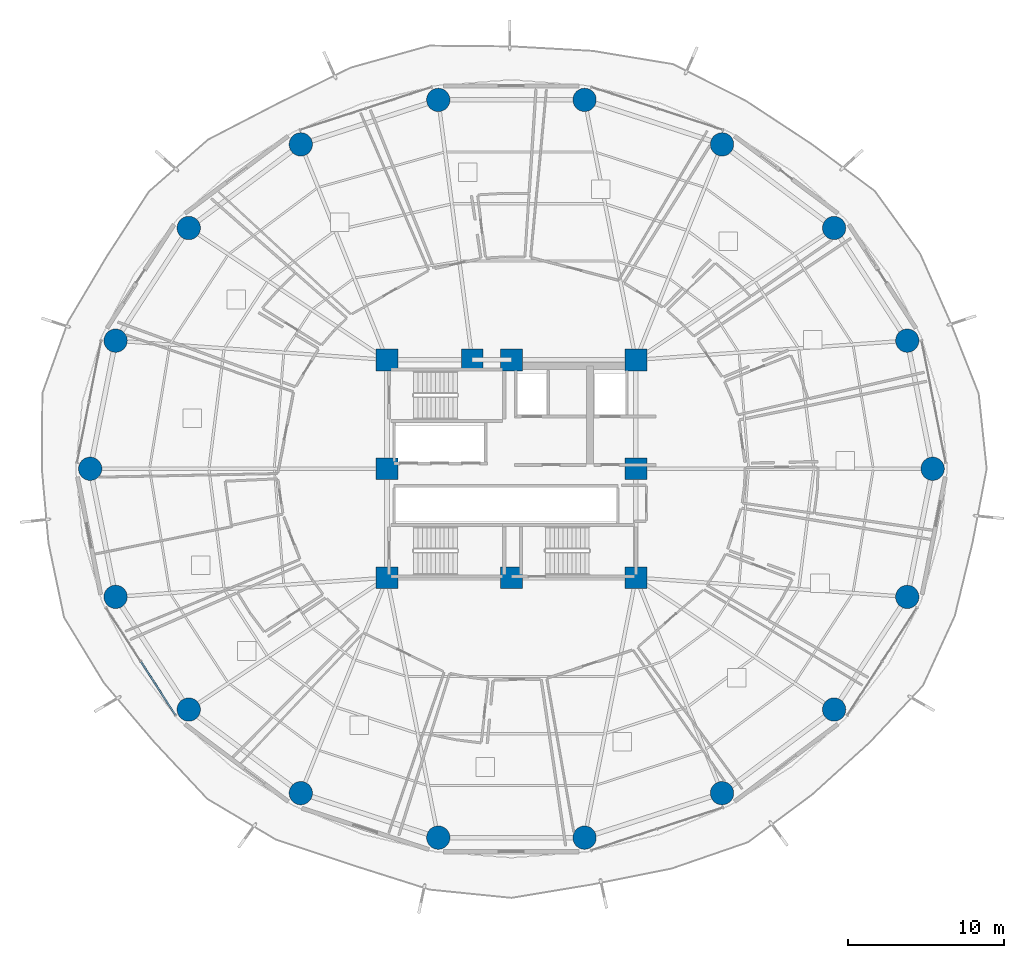
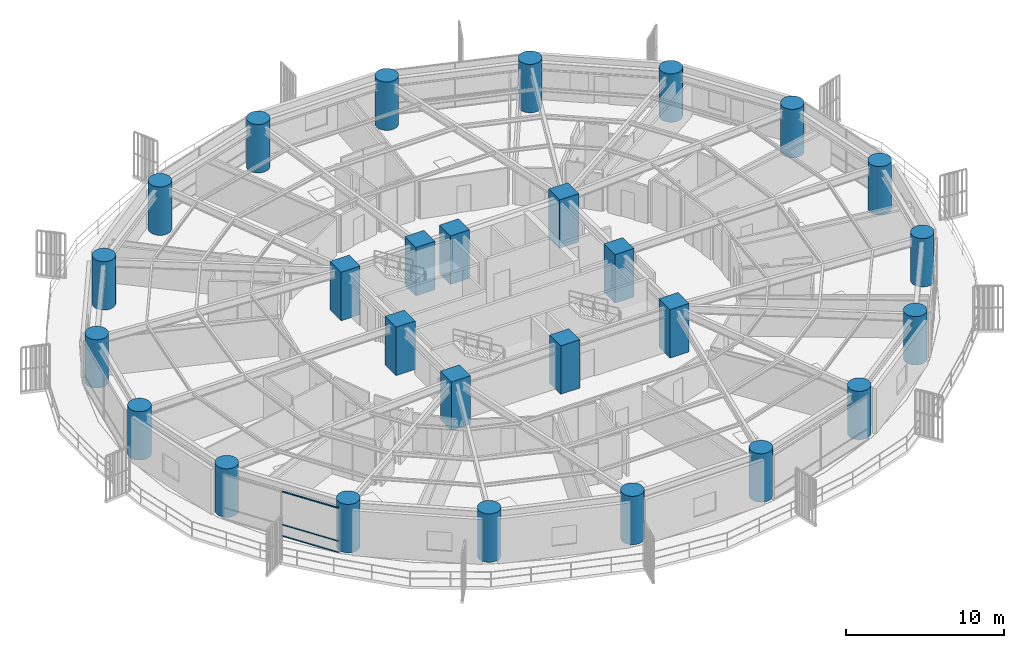
# One storey, part 1 of 33: 27 columns, 3 members, 1 element without a shape of its own.
"""IFC4 building model written with IfcOpenShell, lengths in metres."""

from ifc_helpers import new_model, si_unit, direction, frame, origin, origin_2d, place, context, subcontext, project, spatial, rectangle, hollow_rectangle, circle, extrude, material, layer, layer_set, material_profile, profile_set, type_object, element, aggregate, save


model = new_model("IFC4")

# Units and contexts
model_context = context("Model", 3, precision=1e-05, world=origin(), true_north=direction((0.0, 1.0)))
body_context = subcontext(model_context, "Body", "Model", "MODEL_VIEW")
ifc_project = project(units=[si_unit("LENGTHUNIT", "METRE"), si_unit("AREAUNIT", "SQUARE_METRE"), si_unit("VOLUMEUNIT", "CUBIC_METRE"), si_unit("PLANEANGLEUNIT", "RADIAN"), si_unit("MASSUNIT", "GRAM", prefix="KILO")], contexts=[model_context])

# Site, building, storey
site_placement = place(None, origin())
site = spatial("IfcSite", under=ifc_project, at=site_placement, CompositionType="ELEMENT")
building_placement = place(site_placement, origin())
building = spatial("IfcBuilding", under=site, at=building_placement, Name="Kelanora Arch Commons", CompositionType="ELEMENT")
storey_placement = place(building_placement, frame((0.0, 0.0, 41.25)))
storey = spatial("IfcBuildingStorey", under=building, at=storey_placement, Name="L10", CompositionType="ELEMENT", Elevation=41.25)

# Columns
ifc_material_1 = material(Name="Concrete C60/75", Category="concrete")
ifc_material_profile_1 = material_profile(ifc_material_1, circle(Radius=0.75, at=origin_2d()), Name="RCC1500")
ifc_profile_set_1 = profile_set([ifc_material_profile_1], Name="Concrete C60/75")
column_type_1 = type_object("IfcColumnType", Name="COL-PERIM-Z1", PredefinedType="COLUMN", material=ifc_profile_set_1)
for number, where, z_axis, x_axis, name in (
    (1, (101.080078125, 58.0, 0.0), (0.0, 0.0, 1.0), (1.0, 0.0, 0.0), "Perimeter Ring Column CP-00 L10"),
    (2, (99.447021484375, 66.23583984375, 0.0), (0.0, 0.0, 1.0), (1.0, 0.0, 0.0), "Perimeter Ring Column CP-02 L10"),
    (3, (94.744384765625, 73.478271484375, 0.0), (0.0, 0.0, 1.0), (1.0, 0.0, 0.0), "Perimeter Ring Column CP-04 L10"),
    (4, (87.5400390625, 78.85400390625, 0.0), (0.0, 0.0, 1.0), (1.0, 0.0, 0.0), "Perimeter Ring Column CP-06 L10"),
    (5, (78.702392578125, 81.714111328125, 0.0), (0.0, 0.0, 1.0), (1.0, 0.0, 0.0), "Perimeter Ring Column CP-08 L10"),
    (6, (69.297607421875, 81.714111328125, 0.0), (0.0, 0.0, 1.0), (1.0, 0.0, 0.0), "Perimeter Ring Column CP-10 L10"),
    (7, (60.4599609375, 78.85400390625, 0.0), (0.0, 0.0, 1.0), (1.0, 0.0, 0.0), "Perimeter Ring Column CP-12 L10"),
    (8, (53.255615234375, 73.478271484375, 0.0), (0.0, 0.0, 1.0), (1.0, 0.0, 0.0), "Perimeter Ring Column CP-14 L10"),
    (9, (48.552978515625, 66.23583984375, 0.0), (0.0, 0.0, 1.0), (1.0, 0.0, 0.0), "Perimeter Ring Column CP-16 L10"),
    (10, (46.919921875, 58.0, 0.0), (0.0, 0.0, 1.0), (1.0, 0.0, 0.0), "Perimeter Ring Column CP-18 L10"),
    (11, (48.552978515625, 49.76416015625, 0.0), (0.0, 0.0, 1.0), (1.0, 0.0, 0.0), "Perimeter Ring Column CP-20 L10"),
    (12, (53.255615234375, 42.521728515625, 0.0), (0.0, 0.0, 1.0), (1.0, 0.0, 0.0), "Perimeter Ring Column CP-22 L10"),
    (13, (60.4599609375, 37.14599609375, 0.0), (0.0, 0.0, 1.0), (1.0, 0.0, 0.0), "Perimeter Ring Column CP-24 L10"),
    (14, (69.297607421875, 34.285888671875, 0.0), (0.0, 0.0, 1.0), (1.0, 0.0, 0.0), "Perimeter Ring Column CP-26 L10"),
    (15, (78.702392578125, 34.285888671875, 0.0), (0.0, 0.0, 1.0), (1.0, 0.0, 0.0), "Perimeter Ring Column CP-28 L10"),
    (16, (87.5400390625, 37.14599609375, 0.0), (0.0, 0.0, 1.0), (1.0, 0.0, 0.0), "Perimeter Ring Column CP-30 L10"),
    (17, (94.744384765625, 42.521728515625, 0.0), (0.0, 0.0, 1.0), (1.0, 0.0, 0.0), "Perimeter Ring Column CP-32 L10"),
    (18, (99.447021484375, 49.76416015625, 0.0), (0.0, 0.0, 1.0), (1.0, 0.0, 0.0), "Perimeter Ring Column CP-34 L10"),
):
    element("IfcColumn", number, at=place(storey_placement, frame(where, z_axis=z_axis, x_axis=x_axis)), inside=storey, type_object=column_type_1, Name=name, PredefinedType="COLUMN", context=body_context, shape_type="SweptSolid", body=[
        extrude(circle(Radius=0.75, at=origin_2d()), origin(), (0.0, 0.0, 1.0), 3.75),
    ])
ifc_material_profile_2 = material_profile(ifc_material_1, rectangle(XDim=1.39990234375, YDim=1.39990234375, at=origin_2d()), Name="RC1400x1400")
ifc_profile_set_2 = profile_set([ifc_material_profile_2], Name="Concrete C60/75")
column_type_2 = type_object("IfcColumnType", Name="COL-PIL-LOW", PredefinedType="PILASTER", material=ifc_profile_set_2)
for number, where, z_axis, x_axis, name in (
    (19, (66.0, 51.0, 0.0), (0.0, 0.0, 1.0), (1.0, 0.0, 0.0), "Core Pilaster Column CP1 L10"),
    (20, (74.0, 51.0, 0.0), (0.0, 0.0, 1.0), (1.0, 0.0, 0.0), "Core Pilaster Column CP2 L10"),
    (21, (82.0, 51.0, 0.0), (0.0, 0.0, 1.0), (1.0, 0.0, 0.0), "Core Pilaster Column CP3 L10"),
    (22, (82.0, 58.0, 0.0), (0.0, 0.0, 1.0), (1.0, 0.0, 0.0), "Core Pilaster Column CP4 L10"),
    (23, (82.0, 65.0, 0.0), (0.0, 0.0, 1.0), (1.0, 0.0, 0.0), "Core Pilaster Column CP5 L10"),
    (24, (74.0, 65.0, 0.0), (0.0, 0.0, 1.0), (1.0, 0.0, 0.0), "Core Pilaster Column CP6 L10"),
    (25, (71.47998046875, 65.0, 0.0), (0.0, 0.0, 1.0), (1.0, 0.0, 0.0), "Core Pilaster Column CP9 L10"),
    (26, (66.0, 65.0, 0.0), (0.0, 0.0, 1.0), (1.0, 0.0, 0.0), "Core Pilaster Column CP7 L10"),
    (27, (66.0, 58.0, 0.0), (0.0, 0.0, 1.0), (1.0, 0.0, 0.0), "Core Pilaster Column CP8 L10"),
):
    element("IfcColumn", number, at=place(storey_placement, frame(where, z_axis=z_axis, x_axis=x_axis)), inside=storey, type_object=column_type_2, Name=name, PredefinedType="PILASTER", context=body_context, shape_type="SweptSolid", body=[
        extrude(rectangle(XDim=1.39990234375, YDim=1.39990234375, at=origin_2d()), origin(), (0.0, 0.0, 1.0), 3.75),
    ])

# Curtain wall, members
ifc_material_2 = material(Name="Terracotta ceramic-fritted low-E glass and aluminium", Category="masonry")
ifc_layer = layer(ifc_material_2, 0.159912109375)
ifc_layer_set = layer_set([ifc_layer], Name="Terracotta ceramic-fritted low-E glass and aluminium")
curtain_wall_type = type_object("IfcCurtainWallType", Name="CW-SYS-01", PredefinedType="NOTDEFINED", material=ifc_layer_set)
curtain_wall_placement = place(storey_placement, origin())
curtain_wall = element("IfcCurtainWall", 28, at=curtain_wall_placement, inside=storey, type_object=curtain_wall_type, Name="Unitised Curtain Wall L10-B10", PredefinedType="NOTDEFINED")
ifc_material_3 = material(Name="Powder-coated aluminium terracotta", Category="masonry")
ifc_material_profile_3 = material_profile(ifc_material_3, hollow_rectangle(XDim=0.1201171875, YDim=0.06005859375, WallThickness=0.0048828125, InnerFilletRadius=0.0048828125, OuterFilletRadius=0.010009765625, at=origin_2d()), Name="CWT120x60")
ifc_profile_set_3 = profile_set([ifc_material_profile_3], Name="Powder-coated aluminium terracotta")
member_type = type_object("IfcMemberType", Name="CWT-STD", PredefinedType="USERDEFINED", material=ifc_profile_set_3)
member_1_placement = place(storey_placement, frame((50.185546875, 45.588134765625, 0.030029296875), z_axis=(0.542997414293, -0.839734367566, 0.0), x_axis=(0.839734367566, 0.542997414293, 0.0)))
member_1 = element("IfcMember", 29, at=member_1_placement, type_object=member_type, Name="CW-01 transom 2.1", ObjectType="TRANSOM", PredefinedType="USERDEFINED", context=body_context, shape_type="SweptSolid", body=[
    extrude(hollow_rectangle(XDim=0.1201171875, YDim=0.06005859375, WallThickness=0.0048828125, InnerFilletRadius=0.0048828125, OuterFilletRadius=0.010009765625, at=origin_2d()), origin(), (0.0, 0.0, 1.0), 4.067626953125),
])
member_2_placement = place(storey_placement, frame((50.185546875, 45.588134765625, 0.89990234375), z_axis=(0.542997414293, -0.839734367566, 0.0), x_axis=(0.839734367566, 0.542997414293, 0.0)))
member_2 = element("IfcMember", 30, at=member_2_placement, type_object=member_type, Name="CW-01 transom 2.2", ObjectType="TRANSOM", PredefinedType="USERDEFINED", context=body_context, shape_type="SweptSolid", body=[
    extrude(hollow_rectangle(XDim=0.1201171875, YDim=0.06005859375, WallThickness=0.0048828125, InnerFilletRadius=0.0048828125, OuterFilletRadius=0.010009765625, at=origin_2d()), origin(), (0.0, 0.0, 1.0), 4.067626953125),
])
member_3_placement = place(storey_placement, frame((50.185546875, 45.588134765625, 3.445068359375), z_axis=(0.542997414293, -0.839734367566, 0.0), x_axis=(0.839734367566, 0.542997414293, 0.0)))
member_3 = element("IfcMember", 31, at=member_3_placement, type_object=member_type, Name="CW-01 transom 2.3", ObjectType="TRANSOM", PredefinedType="USERDEFINED", context=body_context, shape_type="SweptSolid", body=[
    extrude(hollow_rectangle(XDim=0.1201171875, YDim=0.06005859375, WallThickness=0.0048828125, InnerFilletRadius=0.0048828125, OuterFilletRadius=0.010009765625, at=origin_2d()), origin(), (0.0, 0.0, 1.0), 4.067626953125),
])
aggregate(curtain_wall, [member_1, member_2, member_3])

save(model, "model.ifc")
